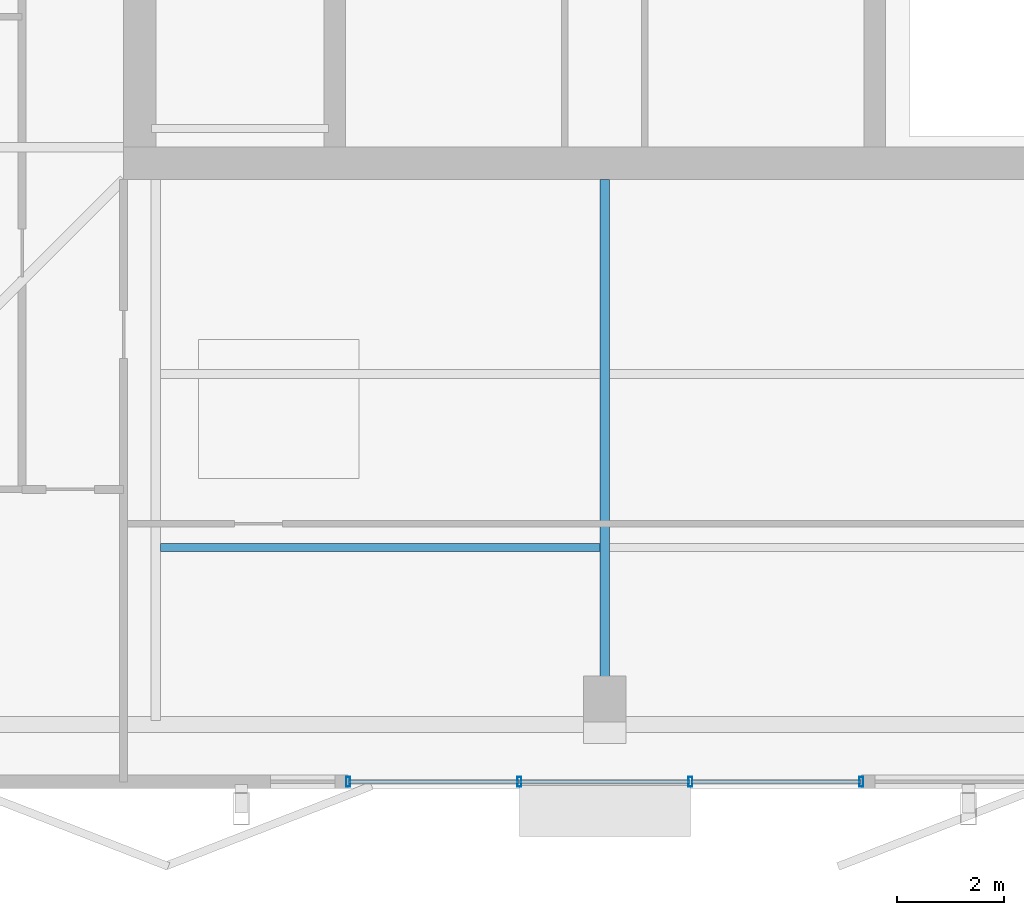
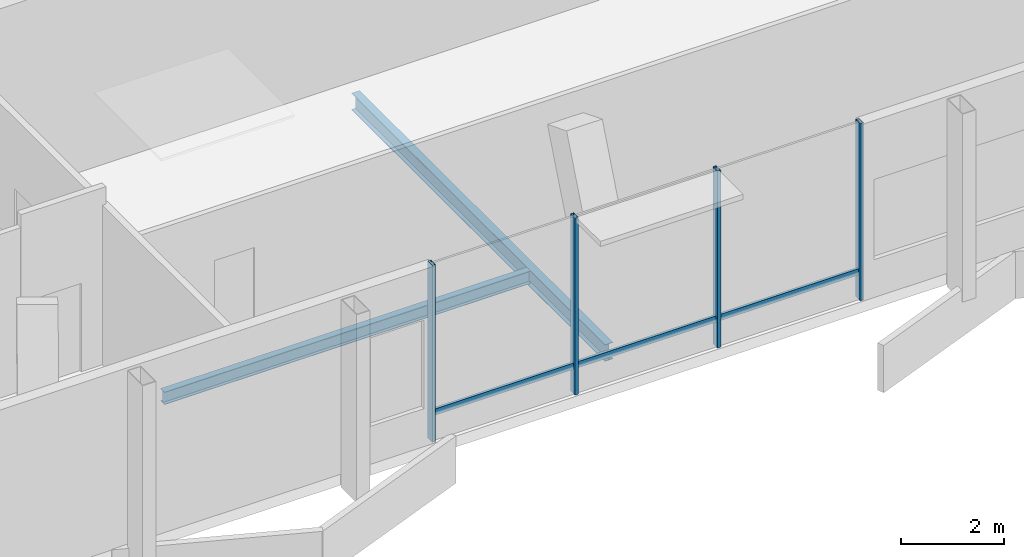
# One storey, part 2 of 16: 7 members, 2 beams, 1 element without a shape of its own.
"""IFC4 building model written with IfcOpenShell, lengths in metres."""

from ifc_helpers import new_model, si_unit, direction, frame, origin, origin_2d, place, context, subcontext, project, spatial, hollow_rectangle, i_section, extrude, material, layer, layer_set, material_profile, profile_set, type_object, element, aggregate, save


model = new_model("IFC4")

# Units and contexts
model_context = context("Model", 3, precision=1e-05, world=origin(), true_north=direction((0.0, 1.0)))
body_context = subcontext(model_context, "Body", "Model", "MODEL_VIEW")
ifc_project = project(units=[si_unit("LENGTHUNIT", "METRE"), si_unit("AREAUNIT", "SQUARE_METRE"), si_unit("VOLUMEUNIT", "CUBIC_METRE"), si_unit("PLANEANGLEUNIT", "RADIAN"), si_unit("MASSUNIT", "GRAM", prefix="KILO")], contexts=[model_context])

# Site, building, storey
site_placement = place(None, origin())
site = spatial("IfcSite", under=ifc_project, at=site_placement, CompositionType="ELEMENT")
building_placement = place(site_placement, origin())
building = spatial("IfcBuilding", under=site, at=building_placement, Name="Belovzor Exchange Tower", CompositionType="ELEMENT")
storey_placement = place(building_placement, frame((0.0, 0.0, 364.5)))
storey = spatial("IfcBuildingStorey", under=building, at=storey_placement, Name="L91", CompositionType="ELEMENT", Elevation=364.5)

# Beam
ifc_material_1 = material(Name="Steel S355", Category="steel")
ifc_material_profile_1 = material_profile(ifc_material_1, i_section(OverallWidth=0.14990234375, OverallDepth=0.300048828125, WebThickness=0.007080078125, FlangeThickness=0.0107421875, at=origin_2d()))
ifc_profile_set_1 = profile_set([ifc_material_profile_1], Name="Steel S355")
beam_type_1 = type_object("IfcBeamType", Name="Secondary Trim Floor Joist IPE 300", PredefinedType="BEAM", material=ifc_profile_set_1)
beam_1_placement = place(storey_placement, frame((20.489990234375, 12.9150390625, -0.409912109375), z_axis=(1.0, 0.0, 0.0), x_axis=(0.0, 1.0, 0.0)))
element("IfcBeam", 1, at=beam_1_placement, inside=storey, type_object=beam_type_1, Name="FJ-300 Secondary Trim Floor Joist IPE 300", PredefinedType="BEAM", context=body_context, shape_type="SweptSolid", body=[
    extrude(i_section(OverallWidth=0.14990234375, OverallDepth=0.300048828125, WebThickness=0.007080078125, FlangeThickness=0.0107421875, at=origin_2d()), origin(), (0.0, 0.0, 1.0), 8.219970703125),
])

# Curtain wall, members
ifc_material_2 = material(Name="Anodised Aluminium Framing", Category="aluminium")
ifc_layer = layer(ifc_material_2, 0.169921875)
ifc_layer_set = layer_set([ifc_layer], Name="Anodised Aluminium Framing")
curtain_wall_type = type_object("IfcCurtainWallType", Name="Stepped Crown Faceted Lantern Curtain Wall", PredefinedType="NOTDEFINED", material=ifc_layer_set)
curtain_wall_placement = place(storey_placement, origin())
curtain_wall = element("IfcCurtainWall", 2, at=curtain_wall_placement, inside=storey, type_object=curtain_wall_type, Name="CW6 Stepped Crown Faceted Lantern Curtain Wall L91", PredefinedType="NOTDEFINED")
ifc_material_3 = material(Name="Steel S355", Category="steel")
ifc_material_profile_2 = material_profile(ifc_material_3, hollow_rectangle(XDim=0.074951171875, YDim=0.179931640625, WallThickness=0.0048828125, at=origin_2d()))
ifc_profile_set_2 = profile_set([ifc_material_profile_2], Name="Steel S355")
member_type_1 = type_object("IfcMemberType", Name="Thermally Broken Curtain Wall Mullion 180x75", PredefinedType="MULLION", material=ifc_profile_set_2)
member_1_placement = place(storey_placement, frame((33.60009765625, 8.530029296875, 0.0), z_axis=(0.0, 0.0, 1.0), x_axis=(-1.0, 0.0, 0.0)))
member_1 = element("IfcMember", 3, at=member_1_placement, type_object=member_type_1, Name="CW-M180 Curtain Wall Mullion 1", PredefinedType="MULLION", context=body_context, shape_type="SweptSolid", body=[
    extrude(hollow_rectangle(XDim=0.074951171875, YDim=0.179931640625, WallThickness=0.0048828125, at=origin_2d()), origin(), (0.0, 0.0, 1.0), 4.199951171875),
])
member_2_placement = place(storey_placement, frame((30.39990234375, 8.530029296875, 0.0), z_axis=(0.0, 0.0, 1.0), x_axis=(-1.0, 0.0, 0.0)))
member_2 = element("IfcMember", 4, at=member_2_placement, type_object=member_type_1, Name="CW-M180 Curtain Wall Mullion 2", PredefinedType="MULLION", context=body_context, shape_type="SweptSolid", body=[
    extrude(hollow_rectangle(XDim=0.074951171875, YDim=0.179931640625, WallThickness=0.0048828125, at=origin_2d()), origin(), (0.0, 0.0, 1.0), 4.199951171875),
])
member_3_placement = place(storey_placement, frame((27.199951171875, 8.530029296875, 0.0), z_axis=(0.0, 0.0, 1.0), x_axis=(-1.0, 0.0, 0.0)))
member_3 = element("IfcMember", 5, at=member_3_placement, type_object=member_type_1, Name="CW-M180 Curtain Wall Mullion 3", PredefinedType="MULLION", context=body_context, shape_type="SweptSolid", body=[
    extrude(hollow_rectangle(XDim=0.074951171875, YDim=0.179931640625, WallThickness=0.0048828125, at=origin_2d()), origin(), (0.0, 0.0, 1.0), 4.199951171875),
])
member_4_placement = place(storey_placement, frame((24.0, 8.530029296875, 0.0), z_axis=(0.0, 0.0, 1.0), x_axis=(-1.0, 0.0, 0.0)))
member_4 = element("IfcMember", 6, at=member_4_placement, type_object=member_type_1, Name="CW-M180 Curtain Wall Mullion 4", PredefinedType="MULLION", context=body_context, shape_type="SweptSolid", body=[
    extrude(hollow_rectangle(XDim=0.074951171875, YDim=0.179931640625, WallThickness=0.0048828125, at=origin_2d()), origin(), (0.0, 0.0, 1.0), 4.199951171875),
])
ifc_material_4 = material(Name="Steel S355", Category="steel")
ifc_material_profile_3 = material_profile(ifc_material_4, hollow_rectangle(XDim=0.06005859375, YDim=0.14990234375, WallThickness=0.00390625, at=origin_2d()))
ifc_profile_set_3 = profile_set([ifc_material_profile_3], Name="Steel S355")
member_type_2 = type_object("IfcMemberType", Name="Thermally Broken Curtain Wall Transom 150x60", PredefinedType="USERDEFINED", material=ifc_profile_set_3)
member_5_placement = place(storey_placement, frame((33.592041015625, 8.530029296875, 0.64990234375), z_axis=(-1.0, 0.0, 0.0), x_axis=(0.0, -1.0, 0.0)))
member_5 = element("IfcMember", 7, at=member_5_placement, type_object=member_type_2, Name="CW-T150 Curtain Wall Transom 1", ObjectType="TRANSOM", PredefinedType="USERDEFINED", context=body_context, shape_type="SweptSolid", body=[
    extrude(hollow_rectangle(XDim=0.06005859375, YDim=0.14990234375, WallThickness=0.00390625, at=origin_2d()), origin(), (0.0, 0.0, 1.0), 3.18408203125),
])
member_6_placement = place(storey_placement, frame((30.39208984375, 8.530029296875, 0.64990234375), z_axis=(-1.0, 0.0, 0.0), x_axis=(0.0, -1.0, 0.0)))
member_6 = element("IfcMember", 8, at=member_6_placement, type_object=member_type_2, Name="CW-T150 Curtain Wall Transom 2", ObjectType="TRANSOM", PredefinedType="USERDEFINED", context=body_context, shape_type="SweptSolid", body=[
    extrude(hollow_rectangle(XDim=0.06005859375, YDim=0.14990234375, WallThickness=0.00390625, at=origin_2d()), origin(), (0.0, 0.0, 1.0), 3.18408203125),
])
member_7_placement = place(storey_placement, frame((27.19189453125, 8.530029296875, 0.64990234375), z_axis=(-1.0, 0.0, 0.0), x_axis=(0.0, -1.0, 0.0)))
member_7 = element("IfcMember", 9, at=member_7_placement, type_object=member_type_2, Name="CW-T150 Curtain Wall Transom 3", ObjectType="TRANSOM", PredefinedType="USERDEFINED", context=body_context, shape_type="SweptSolid", body=[
    extrude(hollow_rectangle(XDim=0.06005859375, YDim=0.14990234375, WallThickness=0.00390625, at=origin_2d()), origin(), (0.0, 0.0, 1.0), 3.183837890625),
])
aggregate(curtain_wall, [member_1, member_2, member_3, member_4, member_5, member_6, member_7])

# Beam
ifc_material_5 = material(Name="Steel S355", Category="steel")
ifc_material_profile_4 = material_profile(ifc_material_5, i_section(OverallWidth=0.179931640625, OverallDepth=0.39990234375, WebThickness=0.008544921875, FlangeThickness=0.013427734375, at=origin_2d()))
ifc_profile_set_4 = profile_set([ifc_material_profile_4], Name="Steel S355")
beam_type_2 = type_object("IfcBeamType", Name="Zone 5-6 Radial Composite Floor Beam IPE 400", PredefinedType="BEAM", material=ifc_profile_set_4)
beam_2_placement = place(storey_placement, frame((28.800048828125, 19.800048828125, -0.4599609375), z_axis=(0.0, -1.0, 0.0), x_axis=(1.0, 0.0, 0.0)))
element("IfcBeam", 10, at=beam_2_placement, inside=storey, type_object=beam_type_2, Name="FB-400 Zone 5-6 Radial Composite Floor Beam IPE 400", PredefinedType="BEAM", context=body_context, shape_type="SweptSolid", body=[
    extrude(i_section(OverallWidth=0.179931640625, OverallDepth=0.39990234375, WebThickness=0.008544921875, FlangeThickness=0.013427734375, at=origin_2d()), origin(), (0.0, 0.0, 1.0), 9.84814453125),
])

save(model, "model.ifc")
